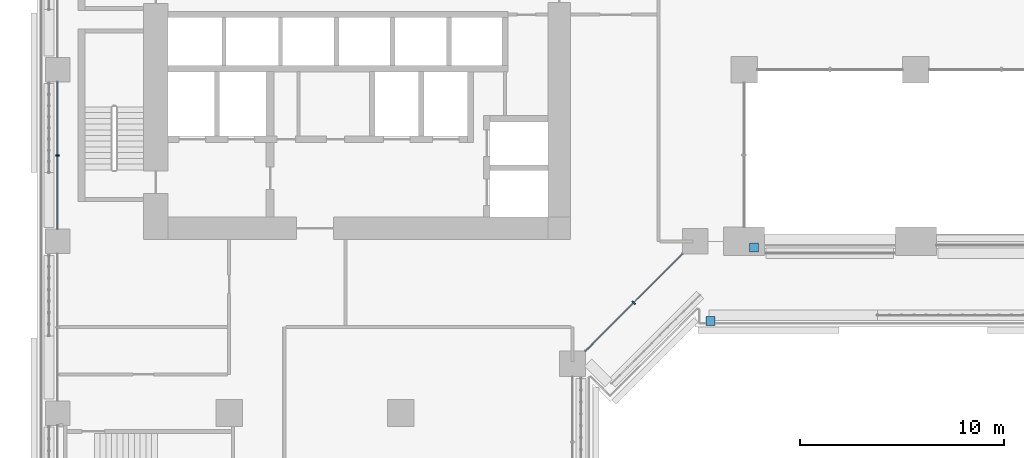
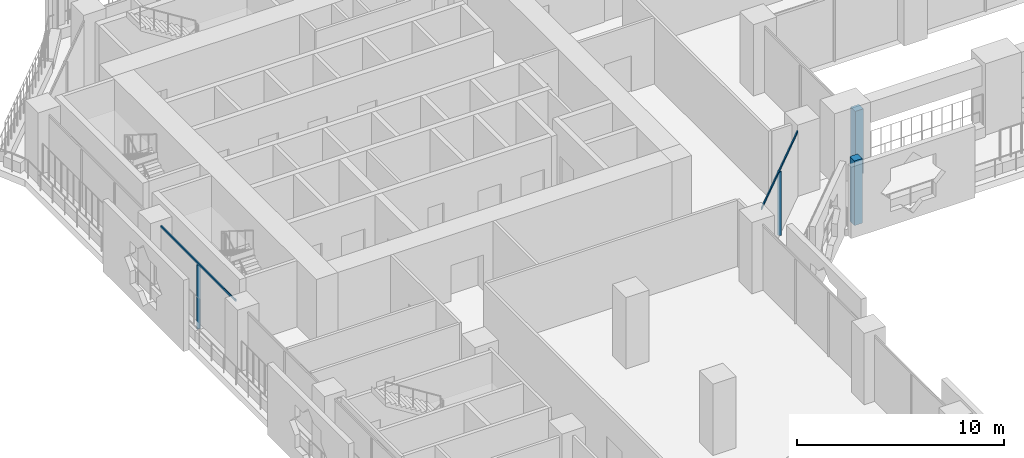
# One storey, part 4 of 27: 6 members, 3 elements without a shape of their own.
"""IFC4 building model written with IfcOpenShell, lengths in metres."""

from ifc_helpers import new_model, si_unit, direction, frame, origin, origin_2d, place, context, subcontext, project, spatial, rectangle, extrude, material, layer, layer_set, material_profile, profile_set, type_object, element, aggregate, save


model = new_model("IFC4")

# Units and contexts
model_context = context("Model", 3, precision=1e-05, world=origin(), true_north=direction((0.0, 1.0)))
body_context = subcontext(model_context, "Body", "Model", "MODEL_VIEW")
ifc_project = project(units=[si_unit("LENGTHUNIT", "METRE"), si_unit("AREAUNIT", "SQUARE_METRE"), si_unit("VOLUMEUNIT", "CUBIC_METRE"), si_unit("PLANEANGLEUNIT", "RADIAN"), si_unit("MASSUNIT", "GRAM", prefix="KILO")], contexts=[model_context])

# Site, building, storey
site_placement = place(None, origin())
site = spatial("IfcSite", under=ifc_project, at=site_placement, CompositionType="ELEMENT")
building_placement = place(site_placement, origin())
building = spatial("IfcBuilding", under=site, at=building_placement, Name="Kawkab Arch Medical Tower", CompositionType="ELEMENT")
storey_placement = place(building_placement, frame((0.0, 0.0, 43.39990234375)))
storey = spatial("IfcBuildingStorey", under=building, at=storey_placement, Name="L09", CompositionType="ELEMENT", Elevation=43.39990234375)

# Curtain wall, members
ifc_material_1 = material(Name="Bronze anodised aluminium curtain wall frame", Category="aluminium")
ifc_layer_1 = layer(ifc_material_1, 0.159912109375)
ifc_layer_set_1 = layer_set([ifc_layer_1], Name="Bronze anodised aluminium curtain wall frame")
curtain_wall_type_1 = type_object("IfcCurtainWallType", Name="CW1 ward curtain wall", PredefinedType="NOTDEFINED", material=ifc_layer_set_1)
placement = place(storey_placement, origin())
curtain_wall_1 = element("IfcCurtainWall", 1, at=placement, inside=storey, type_object=curtain_wall_type_1, Name="CW1 Ward curtain wall R11", PredefinedType="NOTDEFINED")
ifc_material_2 = material(Name="Bronze anodised aluminium curtain wall frame", Category="aluminium")
ifc_material_profile_1 = material_profile(ifc_material_2, rectangle(XDim=0.179931640625, YDim=0.06005859375, at=origin_2d()), Name="AL 60x180")
ifc_profile_set_1 = profile_set([ifc_material_profile_1], Name="Bronze anodised aluminium curtain wall frame")
member_type_1 = type_object("IfcMemberType", Name="CW1 mullion 60 x 180", PredefinedType="MULLION", material=ifc_profile_set_1)
member_1_placement = place(storey_placement, frame((0.0, -21.0, 0.0), z_axis=(0.0, 0.0, 1.0), x_axis=(1.0, 0.0, 0.0)))
member_1 = element("IfcMember", 2, at=member_1_placement, type_object=member_type_1, Name="CW1 mullion 2.1", PredefinedType="MULLION", context=body_context, shape_type="SweptSolid", body=[
    extrude(rectangle(XDim=0.179931640625, YDim=0.06005859375, at=origin_2d()), origin(), (0.0, 0.0, 1.0), 3.780029296875),
])
ifc_material_3 = material(Name="Bronze anodised aluminium curtain wall frame", Category="aluminium")
ifc_material_profile_2 = material_profile(ifc_material_3, rectangle(XDim=0.06005859375, YDim=0.1201171875, at=origin_2d()), Name="AL 60x120")
ifc_profile_set_2 = profile_set([ifc_material_profile_2], Name="Bronze anodised aluminium curtain wall frame")
member_type_2 = type_object("IfcMemberType", Name="CW1 transom 120 x 60", PredefinedType="USERDEFINED", material=ifc_profile_set_2)
member_2_placement = place(storey_placement, frame((0.0, -17.39990234375, 3.840087890625), z_axis=(0.0, -1.0, 0.0), x_axis=(1.0, 0.0, 0.0)))
member_2 = element("IfcMember", 3, at=member_2_placement, type_object=member_type_2, Name="CW1 transom 2", ObjectType="TRANSOM", PredefinedType="USERDEFINED", context=body_context, shape_type="SweptSolid", body=[
    extrude(rectangle(XDim=0.06005859375, YDim=0.1201171875, at=origin_2d()), origin(), (0.0, 0.0, 1.0), 7.2001953125),
])
aggregate(curtain_wall_1, [member_2, member_1])

ifc_material_4 = material(Name="Bronze anodised aluminium curtain wall frame", Category="aluminium")
ifc_layer_2 = layer(ifc_material_4, 0.159912109375)
ifc_layer_set_2 = layer_set([ifc_layer_2], Name="Bronze anodised aluminium curtain wall frame")
curtain_wall_type_2 = type_object("IfcCurtainWallType", Name="CW2 chamfer curtain wall", PredefinedType="NOTDEFINED", material=ifc_layer_set_2)
curtain_wall_2 = element("IfcCurtainWall", 4, at=placement, inside=storey, type_object=curtain_wall_type_2, Name="CW2 Chamfer curtain wall R16", PredefinedType="NOTDEFINED")
ifc_material_5 = material(Name="Bronze anodised aluminium curtain wall frame", Category="aluminium")
ifc_material_profile_3 = material_profile(ifc_material_5, rectangle(XDim=0.199951171875, YDim=0.06005859375, at=origin_2d()), Name="AL 60x200")
ifc_profile_set_3 = profile_set([ifc_material_profile_3], Name="Bronze anodised aluminium curtain wall frame")
member_type_3 = type_object("IfcMemberType", Name="CW2 mullion 60 x 200", PredefinedType="MULLION", material=ifc_profile_set_3)
member_3_placement = place(storey_placement, frame((28.199951171875, -28.199951171875, 0.0), z_axis=(0.0, 0.0, 1.0), x_axis=(-0.707106781187, 0.707106781187, 0.0)))
member_3 = element("IfcMember", 5, at=member_3_placement, type_object=member_type_3, Name="CW2 mullion 1.1", PredefinedType="MULLION", context=body_context, shape_type="SweptSolid", body=[
    extrude(rectangle(XDim=0.199951171875, YDim=0.06005859375, at=origin_2d()), origin(), (0.0, 0.0, 1.0), 3.760009765625),
])
ifc_material_6 = material(Name="Bronze anodised aluminium curtain wall frame", Category="aluminium")
ifc_material_profile_4 = material_profile(ifc_material_6, rectangle(XDim=0.06005859375, YDim=0.139892578125, at=origin_2d()), Name="AL 60x140")
ifc_profile_set_4 = profile_set([ifc_material_profile_4], Name="Bronze anodised aluminium curtain wall frame")
member_type_4 = type_object("IfcMemberType", Name="CW2 transom 140 x 60", PredefinedType="USERDEFINED", material=ifc_profile_set_4)
member_4_placement = place(storey_placement, frame((25.824951171875, -30.574951171875, 3.830078125), z_axis=(0.707106781187, 0.707106781187, 0.0), x_axis=(-0.707106781187, 0.707106781187, 0.0)))
member_4 = element("IfcMember", 6, at=member_4_placement, type_object=member_type_4, Name="CW2 transom 1", ObjectType="TRANSOM", PredefinedType="USERDEFINED", context=body_context, shape_type="SweptSolid", body=[
    extrude(rectangle(XDim=0.06005859375, YDim=0.139892578125, at=origin_2d()), origin(), (0.0, 0.0, 1.0), 6.717529296875),
])
aggregate(curtain_wall_2, [member_4, member_3])

ifc_material_7 = material(Name="Bronze anodised aluminium climber frame, planted", Category="aluminium")
ifc_layer_3 = layer(ifc_material_7, 0.449951171875)
ifc_layer_set_3 = layer_set([ifc_layer_3], Name="Bronze anodised aluminium climber frame, planted")
curtain_wall_type_3 = type_object("IfcCurtainWallType", Name="Planted climber frame", PredefinedType="NOTDEFINED", material=ifc_layer_set_3)
curtain_wall_3 = element("IfcCurtainWall", 7, at=placement, inside=storey, type_object=curtain_wall_type_3, Name="Planted climber frame L09", PredefinedType="NOTDEFINED")
ifc_material_8 = material(Name="Bronze anodised aluminium climber frame, planted", Category="aluminium")
ifc_material_profile_5 = material_profile(ifc_material_8, rectangle(XDim=0.449951171875, YDim=0.449951171875, at=origin_2d()), Name="Post 450x450")
ifc_profile_set_5 = profile_set([ifc_material_profile_5], Name="Bronze anodised aluminium climber frame, planted")
member_type_5 = type_object("IfcMemberType", Name="Planted climber post 450 x 450", PredefinedType="MULLION", material=ifc_profile_set_5)
member_5_placement = place(storey_placement, frame((34.080078125, -25.5, 0.0), z_axis=(0.0, 0.0, 1.0), x_axis=(1.0, 0.0, 0.0)))
member_5 = element("IfcMember", 8, at=member_5_placement, type_object=member_type_5, Name="Planted climber post L09.LOG-01-01.1", PredefinedType="MULLION", context=body_context, shape_type="SweptSolid", body=[
    extrude(rectangle(XDim=0.449951171875, YDim=0.449951171875, at=origin_2d()), origin(), (0.0, 0.0, 1.0), 3.800048828125),
])
member_6_placement = place(storey_placement, frame((31.949951171875, -29.10009765625, 0.0), z_axis=(0.0, 0.0, 1.0), x_axis=(1.0, 0.0, 0.0)))
member_6 = element("IfcMember", 9, at=member_6_placement, type_object=member_type_5, Name="Planted climber post L09.LOG-01-02.6", PredefinedType="MULLION", context=body_context, shape_type="SweptSolid", body=[
    extrude(rectangle(XDim=0.449951171875, YDim=0.449951171875, at=origin_2d()), origin(), (0.0, 0.0, 1.0), 3.800048828125),
])
aggregate(curtain_wall_3, [member_5, member_6])

save(model, "model.ifc")
